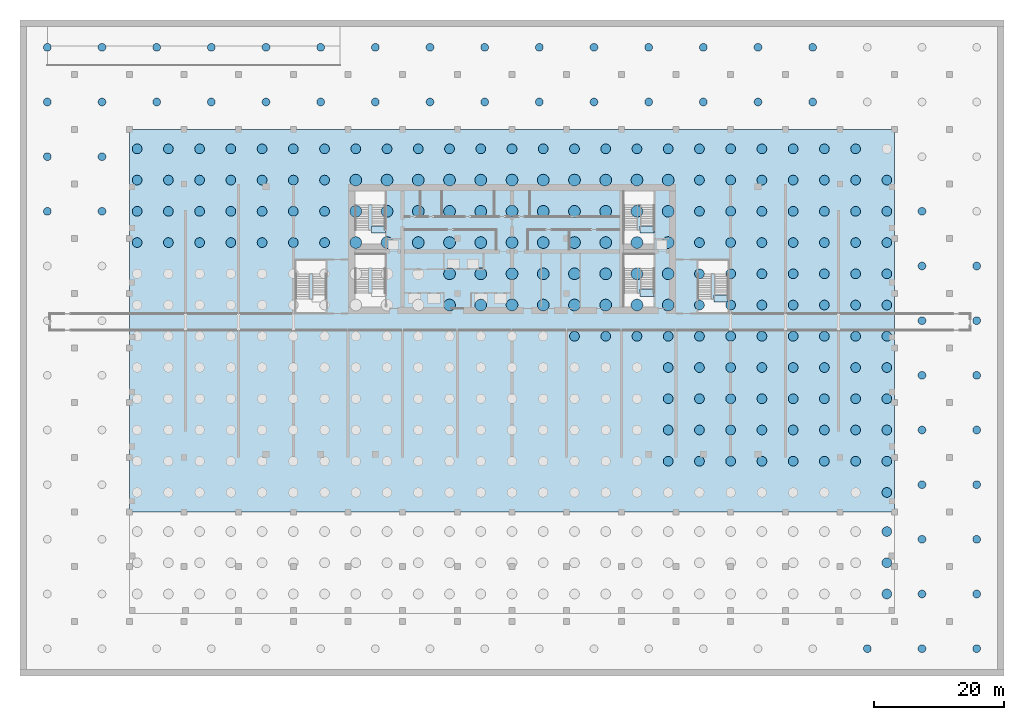
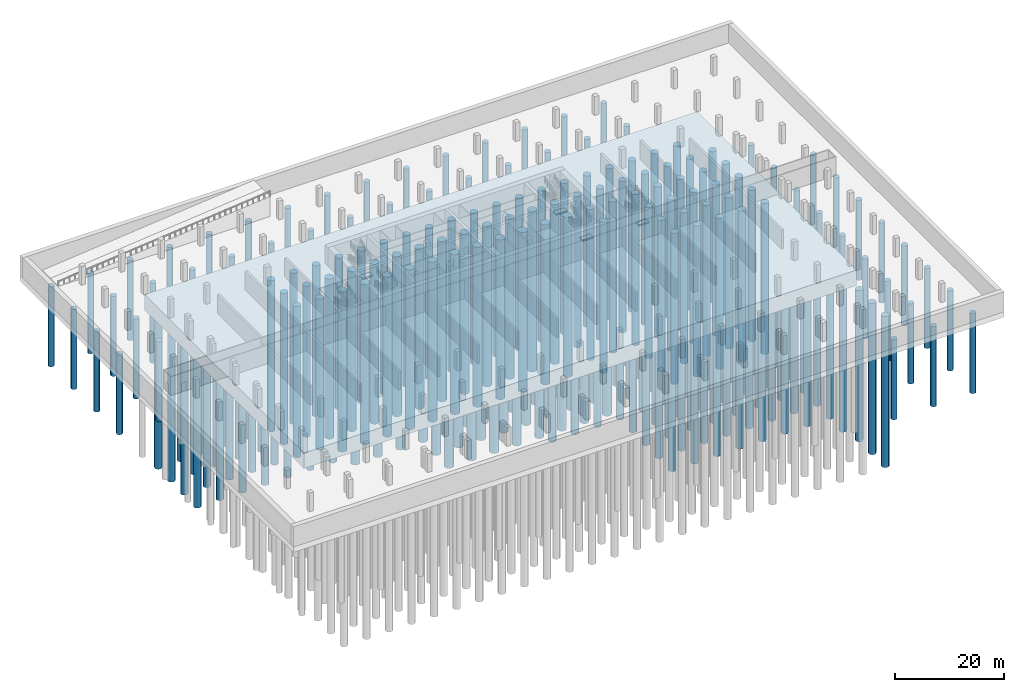
# One storey, part 2 of 17: 228 piles, 5 footings.
"""IFC4 building model written with IfcOpenShell, lengths in metres."""

from ifc_helpers import new_model, si_unit, direction, frame, origin, origin_2d, place, context, subcontext, project, spatial, polyline, circle, outline, extrude, source, transform, mapped, material, layer, layer_set, type_object, element, save


model = new_model("IFC4")

# Units and contexts
model_context = context("Model", 3, precision=1e-05, world=origin(), true_north=direction((0.0, 1.0)))
body_context = subcontext(model_context, "Body", "Model", "MODEL_VIEW")
ifc_project = project(units=[si_unit("LENGTHUNIT", "METRE"), si_unit("AREAUNIT", "SQUARE_METRE"), si_unit("VOLUMEUNIT", "CUBIC_METRE"), si_unit("PLANEANGLEUNIT", "RADIAN"), si_unit("MASSUNIT", "GRAM", prefix="KILO")], contexts=[model_context])

# Site, building, storey
site_placement = place(None, origin())
site = spatial("IfcSite", under=ifc_project, at=site_placement, CompositionType="ELEMENT")
building_placement = place(site_placement, origin())
building = spatial("IfcBuilding", under=site, at=building_placement, Name="Vanashikhar Sky Hotel", CompositionType="ELEMENT")
storey_placement = place(building_placement, frame((0.0, 0.0, -13.5)))
storey = spatial("IfcBuildingStorey", under=building, at=storey_placement, Name="B3", CompositionType="ELEMENT", Elevation=-13.5)

# Footing
ifc_material = material(Name="Concrete M40", Category="concrete")
ifc_layer_1 = layer(ifc_material, 3.5)
ifc_layer_set_1 = layer_set([ifc_layer_1], Name="Piled raft 3500 mm")
footing_type_1 = type_object("IfcFootingType", Name="Piled raft 3500 mm", PredefinedType="PILE_CAP", material=ifc_layer_set_1)
shared_shape_1 = source(origin(), body_context, "Body", "SweptSolid", [
    extrude(outline(polyline([(109.199951171875, -8.39990234375), (109.199951171875, 50.39990234375), (-8.39990234375, 50.39990234375), (-8.39990234375, -8.39990234375), (109.199951171875, -8.39990234375)])), origin(), (0.0, 0.0, 1.0), 3.5),
])
footing_1_placement = place(storey_placement, frame((0.0, 0.0, -3.800048828125)))
element("IfcFooting", 1, at=footing_1_placement, inside=storey, type_object=footing_type_1, Name="Tower piled raft", PredefinedType="PILE_CAP", context=body_context, shape_type="MappedRepresentation", body=[
    mapped(shared_shape_1, transform((0.0, 0.0, 0.0), scale=1.0)),
])

# Piles
pile_type_1 = type_object("IfcPileType", Name="Bored pile 1500 mm", PredefinedType="BORED", material=ifc_material)
shared_shape_2 = source(origin(), body_context, "Body", "SweptSolid", [
    extrude(circle(Radius=0.75, at=origin_2d()), origin(), (0.0, 0.0, 1.0), 34.0),
])
for number, where, z_axis, x_axis, name in (
    (2, (108.0, -5.39990234375, -3.699951171875), (0.0, 0.0, -1.0), (1.0, 0.0, 0.0), "PL-B3-0025"),
    (3, (74.39990234375, -0.60009765625, -3.699951171875), (0.0, 0.0, -1.0), (1.0, 0.0, 0.0), "PL-B3-0043"),
    (4, (79.199951171875, -0.60009765625, -3.699951171875), (0.0, 0.0, -1.0), (1.0, 0.0, 0.0), "PL-B3-0044"),
    (5, (84.0, -0.60009765625, -3.699951171875), (0.0, 0.0, -1.0), (1.0, 0.0, 0.0), "PL-B3-0045"),
    (6, (88.800048828125, -0.60009765625, -3.699951171875), (0.0, 0.0, -1.0), (1.0, 0.0, 0.0), "PL-B3-0046"),
    (7, (93.60009765625, -0.60009765625, -3.699951171875), (0.0, 0.0, -1.0), (1.0, 0.0, 0.0), "PL-B3-0047"),
    (8, (98.39990234375, -0.60009765625, -3.699951171875), (0.0, 0.0, -1.0), (1.0, 0.0, 0.0), "PL-B3-0048"),
    (9, (103.199951171875, -0.60009765625, -3.699951171875), (0.0, 0.0, -1.0), (1.0, 0.0, 0.0), "PL-B3-0049"),
    (10, (108.0, -0.60009765625, -3.699951171875), (0.0, 0.0, -1.0), (1.0, 0.0, 0.0), "PL-B3-0050"),
    (11, (74.39990234375, 4.199951171875, -3.699951171875), (0.0, 0.0, -1.0), (1.0, 0.0, 0.0), "PL-B3-0068"),
    (12, (79.199951171875, 4.199951171875, -3.699951171875), (0.0, 0.0, -1.0), (1.0, 0.0, 0.0), "PL-B3-0069"),
    (13, (84.0, 4.199951171875, -3.699951171875), (0.0, 0.0, -1.0), (1.0, 0.0, 0.0), "PL-B3-0070"),
    (14, (88.800048828125, 4.199951171875, -3.699951171875), (0.0, 0.0, -1.0), (1.0, 0.0, 0.0), "PL-B3-0071"),
    (15, (93.60009765625, 4.199951171875, -3.699951171875), (0.0, 0.0, -1.0), (1.0, 0.0, 0.0), "PL-B3-0072"),
    (16, (98.39990234375, 4.199951171875, -3.699951171875), (0.0, 0.0, -1.0), (1.0, 0.0, 0.0), "PL-B3-0073"),
    (17, (103.199951171875, 4.199951171875, -3.699951171875), (0.0, 0.0, -1.0), (1.0, 0.0, 0.0), "PL-B3-0074"),
    (18, (108.0, 4.199951171875, -3.699951171875), (0.0, 0.0, -1.0), (1.0, 0.0, 0.0), "PL-B3-0075"),
    (19, (74.39990234375, 9.0, -3.699951171875), (0.0, 0.0, -1.0), (1.0, 0.0, 0.0), "PL-B3-0093"),
    (20, (79.199951171875, 9.0, -3.699951171875), (0.0, 0.0, -1.0), (1.0, 0.0, 0.0), "PL-B3-0094"),
    (21, (84.0, 9.0, -3.699951171875), (0.0, 0.0, -1.0), (1.0, 0.0, 0.0), "PL-B3-0095"),
    (22, (88.800048828125, 9.0, -3.699951171875), (0.0, 0.0, -1.0), (1.0, 0.0, 0.0), "PL-B3-0096"),
    (23, (93.60009765625, 9.0, -3.699951171875), (0.0, 0.0, -1.0), (1.0, 0.0, 0.0), "PL-B3-0097"),
    (24, (98.39990234375, 9.0, -3.699951171875), (0.0, 0.0, -1.0), (1.0, 0.0, 0.0), "PL-B3-0098"),
    (25, (103.199951171875, 9.0, -3.699951171875), (0.0, 0.0, -1.0), (1.0, 0.0, 0.0), "PL-B3-0099"),
    (26, (108.0, 9.0, -3.699951171875), (0.0, 0.0, -1.0), (1.0, 0.0, 0.0), "PL-B3-0100"),
    (27, (74.39990234375, 13.800048828125, -3.699951171875), (0.0, 0.0, -1.0), (1.0, 0.0, 0.0), "PL-B3-0118"),
    (28, (79.199951171875, 13.800048828125, -3.699951171875), (0.0, 0.0, -1.0), (1.0, 0.0, 0.0), "PL-B3-0119"),
    (29, (84.0, 13.800048828125, -3.699951171875), (0.0, 0.0, -1.0), (1.0, 0.0, 0.0), "PL-B3-0120"),
    (30, (88.800048828125, 13.800048828125, -3.699951171875), (0.0, 0.0, -1.0), (1.0, 0.0, 0.0), "PL-B3-0121"),
    (31, (93.60009765625, 13.800048828125, -3.699951171875), (0.0, 0.0, -1.0), (1.0, 0.0, 0.0), "PL-B3-0122"),
    (32, (98.39990234375, 13.800048828125, -3.699951171875), (0.0, 0.0, -1.0), (1.0, 0.0, 0.0), "PL-B3-0123"),
    (33, (103.199951171875, 13.800048828125, -3.699951171875), (0.0, 0.0, -1.0), (1.0, 0.0, 0.0), "PL-B3-0124"),
    (34, (108.0, 13.800048828125, -3.699951171875), (0.0, 0.0, -1.0), (1.0, 0.0, 0.0), "PL-B3-0125"),
    (35, (60.0, 18.60009765625, -3.699951171875), (0.0, 0.0, -1.0), (1.0, 0.0, 0.0), "PL-B3-0140"),
    (36, (64.800048828125, 18.60009765625, -3.699951171875), (0.0, 0.0, -1.0), (1.0, 0.0, 0.0), "PL-B3-0141"),
    (37, (69.60009765625, 18.60009765625, -3.699951171875), (0.0, 0.0, -1.0), (1.0, 0.0, 0.0), "PL-B3-0142"),
    (38, (74.39990234375, 18.60009765625, -3.699951171875), (0.0, 0.0, -1.0), (1.0, 0.0, 0.0), "PL-B3-0143"),
    (39, (79.199951171875, 18.60009765625, -3.699951171875), (0.0, 0.0, -1.0), (1.0, 0.0, 0.0), "PL-B3-0144"),
    (40, (84.0, 18.60009765625, -3.699951171875), (0.0, 0.0, -1.0), (1.0, 0.0, 0.0), "PL-B3-0145"),
    (41, (88.800048828125, 18.60009765625, -3.699951171875), (0.0, 0.0, -1.0), (1.0, 0.0, 0.0), "PL-B3-0146"),
    (42, (93.60009765625, 18.60009765625, -3.699951171875), (0.0, 0.0, -1.0), (1.0, 0.0, 0.0), "PL-B3-0147"),
    (43, (98.39990234375, 18.60009765625, -3.699951171875), (0.0, 0.0, -1.0), (1.0, 0.0, 0.0), "PL-B3-0148"),
    (44, (103.199951171875, 18.60009765625, -3.699951171875), (0.0, 0.0, -1.0), (1.0, 0.0, 0.0), "PL-B3-0149"),
    (45, (108.0, 18.60009765625, -3.699951171875), (0.0, 0.0, -1.0), (1.0, 0.0, 0.0), "PL-B3-0150"),
    (46, (79.199951171875, 23.39990234375, -3.699951171875), (0.0, 0.0, -1.0), (1.0, 0.0, 0.0), "PL-B3-0169"),
    (47, (84.0, 23.39990234375, -3.699951171875), (0.0, 0.0, -1.0), (1.0, 0.0, 0.0), "PL-B3-0170"),
    (48, (88.800048828125, 23.39990234375, -3.699951171875), (0.0, 0.0, -1.0), (1.0, 0.0, 0.0), "PL-B3-0171"),
    (49, (93.60009765625, 23.39990234375, -3.699951171875), (0.0, 0.0, -1.0), (1.0, 0.0, 0.0), "PL-B3-0172"),
    (50, (98.39990234375, 23.39990234375, -3.699951171875), (0.0, 0.0, -1.0), (1.0, 0.0, 0.0), "PL-B3-0173"),
    (51, (103.199951171875, 23.39990234375, -3.699951171875), (0.0, 0.0, -1.0), (1.0, 0.0, 0.0), "PL-B3-0174"),
    (52, (108.0, 23.39990234375, -3.699951171875), (0.0, 0.0, -1.0), (1.0, 0.0, 0.0), "PL-B3-0175"),
    (53, (79.199951171875, 28.199951171875, -3.699951171875), (0.0, 0.0, -1.0), (1.0, 0.0, 0.0), "PL-B3-0194"),
    (54, (84.0, 28.199951171875, -3.699951171875), (0.0, 0.0, -1.0), (1.0, 0.0, 0.0), "PL-B3-0195"),
    (55, (88.800048828125, 28.199951171875, -3.699951171875), (0.0, 0.0, -1.0), (1.0, 0.0, 0.0), "PL-B3-0196"),
    (56, (93.60009765625, 28.199951171875, -3.699951171875), (0.0, 0.0, -1.0), (1.0, 0.0, 0.0), "PL-B3-0197"),
    (57, (98.39990234375, 28.199951171875, -3.699951171875), (0.0, 0.0, -1.0), (1.0, 0.0, 0.0), "PL-B3-0198"),
    (58, (103.199951171875, 28.199951171875, -3.699951171875), (0.0, 0.0, -1.0), (1.0, 0.0, 0.0), "PL-B3-0199"),
    (59, (108.0, 28.199951171875, -3.699951171875), (0.0, 0.0, -1.0), (1.0, 0.0, 0.0), "PL-B3-0200"),
    (60, (-7.199951171875, 33.0, -3.699951171875), (0.0, 0.0, -1.0), (1.0, 0.0, 0.0), "PL-B3-0201"),
    (61, (-2.39990234375, 33.0, -3.699951171875), (0.0, 0.0, -1.0), (1.0, 0.0, 0.0), "PL-B3-0202"),
    (62, (2.39990234375, 33.0, -3.699951171875), (0.0, 0.0, -1.0), (1.0, 0.0, 0.0), "PL-B3-0203"),
    (63, (7.199951171875, 33.0, -3.699951171875), (0.0, 0.0, -1.0), (1.0, 0.0, 0.0), "PL-B3-0204"),
    (64, (12.0, 33.0, -3.699951171875), (0.0, 0.0, -1.0), (1.0, 0.0, 0.0), "PL-B3-0205"),
    (65, (16.800048828125, 33.0, -3.699951171875), (0.0, 0.0, -1.0), (1.0, 0.0, 0.0), "PL-B3-0206"),
    (66, (21.60009765625, 33.0, -3.699951171875), (0.0, 0.0, -1.0), (1.0, 0.0, 0.0), "PL-B3-0207"),
    (67, (79.199951171875, 33.0, -3.699951171875), (0.0, 0.0, -1.0), (1.0, 0.0, 0.0), "PL-B3-0219"),
    (68, (84.0, 33.0, -3.699951171875), (0.0, 0.0, -1.0), (1.0, 0.0, 0.0), "PL-B3-0220"),
    (69, (88.800048828125, 33.0, -3.699951171875), (0.0, 0.0, -1.0), (1.0, 0.0, 0.0), "PL-B3-0221"),
    (70, (93.60009765625, 33.0, -3.699951171875), (0.0, 0.0, -1.0), (1.0, 0.0, 0.0), "PL-B3-0222"),
    (71, (98.39990234375, 33.0, -3.699951171875), (0.0, 0.0, -1.0), (1.0, 0.0, 0.0), "PL-B3-0223"),
    (72, (103.199951171875, 33.0, -3.699951171875), (0.0, 0.0, -1.0), (1.0, 0.0, 0.0), "PL-B3-0224"),
    (73, (108.0, 33.0, -3.699951171875), (0.0, 0.0, -1.0), (1.0, 0.0, 0.0), "PL-B3-0225"),
    (74, (-7.199951171875, 37.800048828125, -3.699951171875), (0.0, 0.0, -1.0), (1.0, 0.0, 0.0), "PL-B3-0226"),
    (75, (-2.39990234375, 37.800048828125, -3.699951171875), (0.0, 0.0, -1.0), (1.0, 0.0, 0.0), "PL-B3-0227"),
    (76, (2.39990234375, 37.800048828125, -3.699951171875), (0.0, 0.0, -1.0), (1.0, 0.0, 0.0), "PL-B3-0228"),
    (77, (7.199951171875, 37.800048828125, -3.699951171875), (0.0, 0.0, -1.0), (1.0, 0.0, 0.0), "PL-B3-0229"),
    (78, (12.0, 37.800048828125, -3.699951171875), (0.0, 0.0, -1.0), (1.0, 0.0, 0.0), "PL-B3-0230"),
    (79, (16.800048828125, 37.800048828125, -3.699951171875), (0.0, 0.0, -1.0), (1.0, 0.0, 0.0), "PL-B3-0231"),
    (80, (21.60009765625, 37.800048828125, -3.699951171875), (0.0, 0.0, -1.0), (1.0, 0.0, 0.0), "PL-B3-0232"),
    (81, (79.199951171875, 37.800048828125, -3.699951171875), (0.0, 0.0, -1.0), (1.0, 0.0, 0.0), "PL-B3-0244"),
    (82, (84.0, 37.800048828125, -3.699951171875), (0.0, 0.0, -1.0), (1.0, 0.0, 0.0), "PL-B3-0245"),
    (83, (88.800048828125, 37.800048828125, -3.699951171875), (0.0, 0.0, -1.0), (1.0, 0.0, 0.0), "PL-B3-0246"),
    (84, (93.60009765625, 37.800048828125, -3.699951171875), (0.0, 0.0, -1.0), (1.0, 0.0, 0.0), "PL-B3-0247"),
    (85, (98.39990234375, 37.800048828125, -3.699951171875), (0.0, 0.0, -1.0), (1.0, 0.0, 0.0), "PL-B3-0248"),
    (86, (103.199951171875, 37.800048828125, -3.699951171875), (0.0, 0.0, -1.0), (1.0, 0.0, 0.0), "PL-B3-0249"),
    (87, (108.0, 37.800048828125, -3.699951171875), (0.0, 0.0, -1.0), (1.0, 0.0, 0.0), "PL-B3-0250"),
    (88, (-7.199951171875, 42.60009765625, -3.699951171875), (0.0, 0.0, -1.0), (1.0, 0.0, 0.0), "PL-B3-0251"),
    (89, (-2.39990234375, 42.60009765625, -3.699951171875), (0.0, 0.0, -1.0), (1.0, 0.0, 0.0), "PL-B3-0252"),
    (90, (2.39990234375, 42.60009765625, -3.699951171875), (0.0, 0.0, -1.0), (1.0, 0.0, 0.0), "PL-B3-0253"),
    (91, (7.199951171875, 42.60009765625, -3.699951171875), (0.0, 0.0, -1.0), (1.0, 0.0, 0.0), "PL-B3-0254"),
    (92, (12.0, 42.60009765625, -3.699951171875), (0.0, 0.0, -1.0), (1.0, 0.0, 0.0), "PL-B3-0255"),
    (93, (16.800048828125, 42.60009765625, -3.699951171875), (0.0, 0.0, -1.0), (1.0, 0.0, 0.0), "PL-B3-0256"),
    (94, (21.60009765625, 42.60009765625, -3.699951171875), (0.0, 0.0, -1.0), (1.0, 0.0, 0.0), "PL-B3-0257"),
    (95, (79.199951171875, 42.60009765625, -3.699951171875), (0.0, 0.0, -1.0), (1.0, 0.0, 0.0), "PL-B3-0269"),
    (96, (84.0, 42.60009765625, -3.699951171875), (0.0, 0.0, -1.0), (1.0, 0.0, 0.0), "PL-B3-0270"),
    (97, (88.800048828125, 42.60009765625, -3.699951171875), (0.0, 0.0, -1.0), (1.0, 0.0, 0.0), "PL-B3-0271"),
    (98, (93.60009765625, 42.60009765625, -3.699951171875), (0.0, 0.0, -1.0), (1.0, 0.0, 0.0), "PL-B3-0272"),
    (99, (98.39990234375, 42.60009765625, -3.699951171875), (0.0, 0.0, -1.0), (1.0, 0.0, 0.0), "PL-B3-0273"),
    (100, (103.199951171875, 42.60009765625, -3.699951171875), (0.0, 0.0, -1.0), (1.0, 0.0, 0.0), "PL-B3-0274"),
    (101, (108.0, 42.60009765625, -3.699951171875), (0.0, 0.0, -1.0), (1.0, 0.0, 0.0), "PL-B3-0275"),
    (102, (-7.199951171875, 47.39990234375, -3.699951171875), (0.0, 0.0, -1.0), (1.0, 0.0, 0.0), "PL-B3-0276"),
    (103, (-2.39990234375, 47.39990234375, -3.699951171875), (0.0, 0.0, -1.0), (1.0, 0.0, 0.0), "PL-B3-0277"),
    (104, (2.39990234375, 47.39990234375, -3.699951171875), (0.0, 0.0, -1.0), (1.0, 0.0, 0.0), "PL-B3-0278"),
    (105, (7.199951171875, 47.39990234375, -3.699951171875), (0.0, 0.0, -1.0), (1.0, 0.0, 0.0), "PL-B3-0279"),
    (106, (12.0, 47.39990234375, -3.699951171875), (0.0, 0.0, -1.0), (1.0, 0.0, 0.0), "PL-B3-0280"),
    (107, (16.800048828125, 47.39990234375, -3.699951171875), (0.0, 0.0, -1.0), (1.0, 0.0, 0.0), "PL-B3-0281"),
    (108, (21.60009765625, 47.39990234375, -3.699951171875), (0.0, 0.0, -1.0), (1.0, 0.0, 0.0), "PL-B3-0282"),
    (109, (26.39990234375, 47.39990234375, -3.699951171875), (0.0, 0.0, -1.0), (1.0, 0.0, 0.0), "PL-B3-0283"),
    (110, (31.199951171875, 47.39990234375, -3.699951171875), (0.0, 0.0, -1.0), (1.0, 0.0, 0.0), "PL-B3-0284"),
    (111, (36.0, 47.39990234375, -3.699951171875), (0.0, 0.0, -1.0), (1.0, 0.0, 0.0), "PL-B3-0285"),
    (112, (40.800048828125, 47.39990234375, -3.699951171875), (0.0, 0.0, -1.0), (1.0, 0.0, 0.0), "PL-B3-0286"),
    (113, (45.60009765625, 47.39990234375, -3.699951171875), (0.0, 0.0, -1.0), (1.0, 0.0, 0.0), "PL-B3-0287"),
    (114, (50.39990234375, 47.39990234375, -3.699951171875), (0.0, 0.0, -1.0), (1.0, 0.0, 0.0), "PL-B3-0288"),
    (115, (55.199951171875, 47.39990234375, -3.699951171875), (0.0, 0.0, -1.0), (1.0, 0.0, 0.0), "PL-B3-0289"),
    (116, (60.0, 47.39990234375, -3.699951171875), (0.0, 0.0, -1.0), (1.0, 0.0, 0.0), "PL-B3-0290"),
    (117, (64.800048828125, 47.39990234375, -3.699951171875), (0.0, 0.0, -1.0), (1.0, 0.0, 0.0), "PL-B3-0291"),
    (118, (69.60009765625, 47.39990234375, -3.699951171875), (0.0, 0.0, -1.0), (1.0, 0.0, 0.0), "PL-B3-0292"),
    (119, (74.39990234375, 47.39990234375, -3.699951171875), (0.0, 0.0, -1.0), (1.0, 0.0, 0.0), "PL-B3-0293"),
    (120, (79.199951171875, 47.39990234375, -3.699951171875), (0.0, 0.0, -1.0), (1.0, 0.0, 0.0), "PL-B3-0294"),
    (121, (84.0, 47.39990234375, -3.699951171875), (0.0, 0.0, -1.0), (1.0, 0.0, 0.0), "PL-B3-0295"),
    (122, (88.800048828125, 47.39990234375, -3.699951171875), (0.0, 0.0, -1.0), (1.0, 0.0, 0.0), "PL-B3-0296"),
    (123, (93.60009765625, 47.39990234375, -3.699951171875), (0.0, 0.0, -1.0), (1.0, 0.0, 0.0), "PL-B3-0297"),
    (124, (98.39990234375, 47.39990234375, -3.699951171875), (0.0, 0.0, -1.0), (1.0, 0.0, 0.0), "PL-B3-0298"),
    (125, (103.199951171875, 47.39990234375, -3.699951171875), (0.0, 0.0, -1.0), (1.0, 0.0, 0.0), "PL-B3-0299"),
    (126, (108.0, -21.0, -2.199951171875), (0.0, 0.0, -1.0), (1.0, 0.0, 0.0), "PL-B3-0325"),
    (127, (108.0, -16.199951171875, -2.199951171875), (0.0, 0.0, -1.0), (1.0, 0.0, 0.0), "PL-B3-0350"),
    (128, (108.0, -11.39990234375, -2.199951171875), (0.0, 0.0, -1.0), (1.0, 0.0, 0.0), "PL-B3-0375"),
):
    element("IfcPile", number, at=place(storey_placement, frame(where, z_axis=z_axis, x_axis=x_axis)), inside=storey, type_object=pile_type_1, Name=name, PredefinedType="BORED", context=body_context, shape_type="MappedRepresentation", body=[
        mapped(shared_shape_2, transform((0.0, 0.0, 0.0), scale=1.0)),
    ])
pile_type_2 = type_object("IfcPileType", Name="Bored pile 1800 mm", PredefinedType="BORED", material=ifc_material)
shared_shape_3 = source(origin(), body_context, "Body", "SweptSolid", [
    extrude(circle(Radius=0.89990234375, at=origin_2d()), origin(), (0.0, 0.0, 1.0), 36.0),
])
for number, where, z_axis, x_axis, name in (
    (129, (40.800048828125, 23.39990234375, -3.699951171875), (0.0, 0.0, -1.0), (1.0, 0.0, 0.0), "PL-B3-0161"),
    (130, (45.60009765625, 23.39990234375, -3.699951171875), (0.0, 0.0, -1.0), (1.0, 0.0, 0.0), "PL-B3-0162"),
    (131, (50.39990234375, 23.39990234375, -3.699951171875), (0.0, 0.0, -1.0), (1.0, 0.0, 0.0), "PL-B3-0163"),
    (132, (55.199951171875, 23.39990234375, -3.699951171875), (0.0, 0.0, -1.0), (1.0, 0.0, 0.0), "PL-B3-0164"),
    (133, (60.0, 23.39990234375, -3.699951171875), (0.0, 0.0, -1.0), (1.0, 0.0, 0.0), "PL-B3-0165"),
    (134, (64.800048828125, 23.39990234375, -3.699951171875), (0.0, 0.0, -1.0), (1.0, 0.0, 0.0), "PL-B3-0166"),
    (135, (69.60009765625, 23.39990234375, -3.699951171875), (0.0, 0.0, -1.0), (1.0, 0.0, 0.0), "PL-B3-0167"),
    (136, (74.39990234375, 23.39990234375, -3.699951171875), (0.0, 0.0, -1.0), (1.0, 0.0, 0.0), "PL-B3-0168"),
    (137, (40.800048828125, 28.199951171875, -3.699951171875), (0.0, 0.0, -1.0), (1.0, 0.0, 0.0), "PL-B3-0186"),
    (138, (45.60009765625, 28.199951171875, -3.699951171875), (0.0, 0.0, -1.0), (1.0, 0.0, 0.0), "PL-B3-0187"),
    (139, (50.39990234375, 28.199951171875, -3.699951171875), (0.0, 0.0, -1.0), (1.0, 0.0, 0.0), "PL-B3-0188"),
    (140, (55.199951171875, 28.199951171875, -3.699951171875), (0.0, 0.0, -1.0), (1.0, 0.0, 0.0), "PL-B3-0189"),
    (141, (60.0, 28.199951171875, -3.699951171875), (0.0, 0.0, -1.0), (1.0, 0.0, 0.0), "PL-B3-0190"),
    (142, (64.800048828125, 28.199951171875, -3.699951171875), (0.0, 0.0, -1.0), (1.0, 0.0, 0.0), "PL-B3-0191"),
    (143, (69.60009765625, 28.199951171875, -3.699951171875), (0.0, 0.0, -1.0), (1.0, 0.0, 0.0), "PL-B3-0192"),
    (144, (74.39990234375, 28.199951171875, -3.699951171875), (0.0, 0.0, -1.0), (1.0, 0.0, 0.0), "PL-B3-0193"),
    (145, (26.39990234375, 33.0, -3.699951171875), (0.0, 0.0, -1.0), (1.0, 0.0, 0.0), "PL-B3-0208"),
    (146, (31.199951171875, 33.0, -3.699951171875), (0.0, 0.0, -1.0), (1.0, 0.0, 0.0), "PL-B3-0209"),
    (147, (36.0, 33.0, -3.699951171875), (0.0, 0.0, -1.0), (1.0, 0.0, 0.0), "PL-B3-0210"),
    (148, (40.800048828125, 33.0, -3.699951171875), (0.0, 0.0, -1.0), (1.0, 0.0, 0.0), "PL-B3-0211"),
    (149, (45.60009765625, 33.0, -3.699951171875), (0.0, 0.0, -1.0), (1.0, 0.0, 0.0), "PL-B3-0212"),
    (150, (50.39990234375, 33.0, -3.699951171875), (0.0, 0.0, -1.0), (1.0, 0.0, 0.0), "PL-B3-0213"),
    (151, (55.199951171875, 33.0, -3.699951171875), (0.0, 0.0, -1.0), (1.0, 0.0, 0.0), "PL-B3-0214"),
    (152, (60.0, 33.0, -3.699951171875), (0.0, 0.0, -1.0), (1.0, 0.0, 0.0), "PL-B3-0215"),
    (153, (64.800048828125, 33.0, -3.699951171875), (0.0, 0.0, -1.0), (1.0, 0.0, 0.0), "PL-B3-0216"),
    (154, (69.60009765625, 33.0, -3.699951171875), (0.0, 0.0, -1.0), (1.0, 0.0, 0.0), "PL-B3-0217"),
    (155, (74.39990234375, 33.0, -3.699951171875), (0.0, 0.0, -1.0), (1.0, 0.0, 0.0), "PL-B3-0218"),
    (156, (26.39990234375, 37.800048828125, -3.699951171875), (0.0, 0.0, -1.0), (1.0, 0.0, 0.0), "PL-B3-0233"),
    (157, (31.199951171875, 37.800048828125, -3.699951171875), (0.0, 0.0, -1.0), (1.0, 0.0, 0.0), "PL-B3-0234"),
    (158, (36.0, 37.800048828125, -3.699951171875), (0.0, 0.0, -1.0), (1.0, 0.0, 0.0), "PL-B3-0235"),
    (159, (40.800048828125, 37.800048828125, -3.699951171875), (0.0, 0.0, -1.0), (1.0, 0.0, 0.0), "PL-B3-0236"),
    (160, (45.60009765625, 37.800048828125, -3.699951171875), (0.0, 0.0, -1.0), (1.0, 0.0, 0.0), "PL-B3-0237"),
    (161, (50.39990234375, 37.800048828125, -3.699951171875), (0.0, 0.0, -1.0), (1.0, 0.0, 0.0), "PL-B3-0238"),
    (162, (55.199951171875, 37.800048828125, -3.699951171875), (0.0, 0.0, -1.0), (1.0, 0.0, 0.0), "PL-B3-0239"),
    (163, (60.0, 37.800048828125, -3.699951171875), (0.0, 0.0, -1.0), (1.0, 0.0, 0.0), "PL-B3-0240"),
    (164, (64.800048828125, 37.800048828125, -3.699951171875), (0.0, 0.0, -1.0), (1.0, 0.0, 0.0), "PL-B3-0241"),
    (165, (69.60009765625, 37.800048828125, -3.699951171875), (0.0, 0.0, -1.0), (1.0, 0.0, 0.0), "PL-B3-0242"),
    (166, (74.39990234375, 37.800048828125, -3.699951171875), (0.0, 0.0, -1.0), (1.0, 0.0, 0.0), "PL-B3-0243"),
    (167, (26.39990234375, 42.60009765625, -3.699951171875), (0.0, 0.0, -1.0), (1.0, 0.0, 0.0), "PL-B3-0258"),
    (168, (31.199951171875, 42.60009765625, -3.699951171875), (0.0, 0.0, -1.0), (1.0, 0.0, 0.0), "PL-B3-0259"),
    (169, (36.0, 42.60009765625, -3.699951171875), (0.0, 0.0, -1.0), (1.0, 0.0, 0.0), "PL-B3-0260"),
    (170, (40.800048828125, 42.60009765625, -3.699951171875), (0.0, 0.0, -1.0), (1.0, 0.0, 0.0), "PL-B3-0261"),
    (171, (45.60009765625, 42.60009765625, -3.699951171875), (0.0, 0.0, -1.0), (1.0, 0.0, 0.0), "PL-B3-0262"),
    (172, (50.39990234375, 42.60009765625, -3.699951171875), (0.0, 0.0, -1.0), (1.0, 0.0, 0.0), "PL-B3-0263"),
    (173, (55.199951171875, 42.60009765625, -3.699951171875), (0.0, 0.0, -1.0), (1.0, 0.0, 0.0), "PL-B3-0264"),
    (174, (60.0, 42.60009765625, -3.699951171875), (0.0, 0.0, -1.0), (1.0, 0.0, 0.0), "PL-B3-0265"),
    (175, (64.800048828125, 42.60009765625, -3.699951171875), (0.0, 0.0, -1.0), (1.0, 0.0, 0.0), "PL-B3-0266"),
    (176, (69.60009765625, 42.60009765625, -3.699951171875), (0.0, 0.0, -1.0), (1.0, 0.0, 0.0), "PL-B3-0267"),
    (177, (74.39990234375, 42.60009765625, -3.699951171875), (0.0, 0.0, -1.0), (1.0, 0.0, 0.0), "PL-B3-0268"),
):
    element("IfcPile", number, at=place(storey_placement, frame(where, z_axis=z_axis, x_axis=x_axis)), inside=storey, type_object=pile_type_2, Name=name, PredefinedType="BORED", context=body_context, shape_type="MappedRepresentation", body=[
        mapped(shared_shape_3, transform((0.0, 0.0, 0.0), scale=1.0)),
    ])
pile_type_3 = type_object("IfcPileType", Name="Bored pile 1200 mm", PredefinedType="BORED", material=ifc_material)
shared_shape_4 = source(origin(), body_context, "Body", "SweptSolid", [
    extrude(circle(Radius=0.60009765625, at=origin_2d()), origin(), (0.0, 0.0, 1.0), 18.0),
])
for number, where, z_axis, x_axis, name in (
    (178, (-21.0, 37.800048828125, -1.39990234375), (0.0, 0.0, -1.0), (1.0, 0.0, 0.0), "PL-B3-T009"),
    (179, (-21.0, 46.199951171875, -1.39990234375), (0.0, 0.0, -1.0), (1.0, 0.0, 0.0), "PL-B3-T010"),
    (180, (-21.0, 54.60009765625, -1.39990234375), (0.0, 0.0, -1.0), (1.0, 0.0, 0.0), "PL-B3-T011"),
    (181, (-21.0, 63.0, -1.39990234375), (0.0, 0.0, -1.0), (1.0, 0.0, 0.0), "PL-B3-T012"),
    (182, (-12.60009765625, 37.800048828125, -1.39990234375), (0.0, 0.0, -1.0), (1.0, 0.0, 0.0), "PL-B3-T021"),
    (183, (-12.60009765625, 46.199951171875, -1.39990234375), (0.0, 0.0, -1.0), (1.0, 0.0, 0.0), "PL-B3-T022"),
    (184, (-12.60009765625, 54.60009765625, -1.39990234375), (0.0, 0.0, -1.0), (1.0, 0.0, 0.0), "PL-B3-T023"),
    (185, (-12.60009765625, 63.0, -1.39990234375), (0.0, 0.0, -1.0), (1.0, 0.0, 0.0), "PL-B3-T024"),
    (186, (-4.199951171875, 54.60009765625, -1.39990234375), (0.0, 0.0, -1.0), (1.0, 0.0, 0.0), "PL-B3-T026"),
    (187, (-4.199951171875, 63.0, -1.39990234375), (0.0, 0.0, -1.0), (1.0, 0.0, 0.0), "PL-B3-T027"),
    (188, (4.199951171875, 54.60009765625, -1.39990234375), (0.0, 0.0, -1.0), (1.0, 0.0, 0.0), "PL-B3-T029"),
    (189, (4.199951171875, 63.0, -1.39990234375), (0.0, 0.0, -1.0), (1.0, 0.0, 0.0), "PL-B3-T030"),
    (190, (12.60009765625, 54.60009765625, -1.39990234375), (0.0, 0.0, -1.0), (1.0, 0.0, 0.0), "PL-B3-T032"),
    (191, (12.60009765625, 63.0, -1.39990234375), (0.0, 0.0, -1.0), (1.0, 0.0, 0.0), "PL-B3-T033"),
    (192, (21.0, 54.60009765625, -1.39990234375), (0.0, 0.0, -1.0), (1.0, 0.0, 0.0), "PL-B3-T035"),
    (193, (21.0, 63.0, -1.39990234375), (0.0, 0.0, -1.0), (1.0, 0.0, 0.0), "PL-B3-T036"),
    (194, (29.39990234375, 54.60009765625, -1.39990234375), (0.0, 0.0, -1.0), (1.0, 0.0, 0.0), "PL-B3-T038"),
    (195, (29.39990234375, 63.0, -1.39990234375), (0.0, 0.0, -1.0), (1.0, 0.0, 0.0), "PL-B3-T039"),
    (196, (37.800048828125, 54.60009765625, -1.39990234375), (0.0, 0.0, -1.0), (1.0, 0.0, 0.0), "PL-B3-T041"),
    (197, (37.800048828125, 63.0, -1.39990234375), (0.0, 0.0, -1.0), (1.0, 0.0, 0.0), "PL-B3-T042"),
    (198, (46.199951171875, 54.60009765625, -1.39990234375), (0.0, 0.0, -1.0), (1.0, 0.0, 0.0), "PL-B3-T044"),
    (199, (46.199951171875, 63.0, -1.39990234375), (0.0, 0.0, -1.0), (1.0, 0.0, 0.0), "PL-B3-T045"),
    (200, (54.60009765625, 54.60009765625, -1.39990234375), (0.0, 0.0, -1.0), (1.0, 0.0, 0.0), "PL-B3-T047"),
    (201, (54.60009765625, 63.0, -1.39990234375), (0.0, 0.0, -1.0), (1.0, 0.0, 0.0), "PL-B3-T048"),
    (202, (63.0, 54.60009765625, -1.39990234375), (0.0, 0.0, -1.0), (1.0, 0.0, 0.0), "PL-B3-T050"),
    (203, (63.0, 63.0, -1.39990234375), (0.0, 0.0, -1.0), (1.0, 0.0, 0.0), "PL-B3-T051"),
    (204, (71.39990234375, 54.60009765625, -1.39990234375), (0.0, 0.0, -1.0), (1.0, 0.0, 0.0), "PL-B3-T053"),
    (205, (71.39990234375, 63.0, -1.39990234375), (0.0, 0.0, -1.0), (1.0, 0.0, 0.0), "PL-B3-T054"),
    (206, (79.800048828125, 54.60009765625, -1.39990234375), (0.0, 0.0, -1.0), (1.0, 0.0, 0.0), "PL-B3-T056"),
    (207, (79.800048828125, 63.0, -1.39990234375), (0.0, 0.0, -1.0), (1.0, 0.0, 0.0), "PL-B3-T057"),
    (208, (88.199951171875, 54.60009765625, -1.39990234375), (0.0, 0.0, -1.0), (1.0, 0.0, 0.0), "PL-B3-T059"),
    (209, (88.199951171875, 63.0, -1.39990234375), (0.0, 0.0, -1.0), (1.0, 0.0, 0.0), "PL-B3-T060"),
    (210, (96.60009765625, 54.60009765625, -1.39990234375), (0.0, 0.0, -1.0), (1.0, 0.0, 0.0), "PL-B3-T062"),
    (211, (96.60009765625, 63.0, -1.39990234375), (0.0, 0.0, -1.0), (1.0, 0.0, 0.0), "PL-B3-T063"),
    (212, (105.0, -29.39990234375, -1.39990234375), (0.0, 0.0, -1.0), (1.0, 0.0, 0.0), "PL-B3-T064"),
    (213, (113.39990234375, -29.39990234375, -1.39990234375), (0.0, 0.0, -1.0), (1.0, 0.0, 0.0), "PL-B3-T067"),
    (214, (113.39990234375, -21.0, -1.39990234375), (0.0, 0.0, -1.0), (1.0, 0.0, 0.0), "PL-B3-T068"),
    (215, (113.39990234375, -12.60009765625, -1.39990234375), (0.0, 0.0, -1.0), (1.0, 0.0, 0.0), "PL-B3-T069"),
    (216, (113.39990234375, -4.199951171875, -1.39990234375), (0.0, 0.0, -1.0), (1.0, 0.0, 0.0), "PL-B3-T070"),
    (217, (113.39990234375, 4.199951171875, -1.39990234375), (0.0, 0.0, -1.0), (1.0, 0.0, 0.0), "PL-B3-T071"),
    (218, (113.39990234375, 12.60009765625, -1.39990234375), (0.0, 0.0, -1.0), (1.0, 0.0, 0.0), "PL-B3-T072"),
    (219, (113.39990234375, 21.0, -1.39990234375), (0.0, 0.0, -1.0), (1.0, 0.0, 0.0), "PL-B3-T073"),
    (220, (113.39990234375, 29.39990234375, -1.39990234375), (0.0, 0.0, -1.0), (1.0, 0.0, 0.0), "PL-B3-T074"),
    (221, (113.39990234375, 37.800048828125, -1.39990234375), (0.0, 0.0, -1.0), (1.0, 0.0, 0.0), "PL-B3-T075"),
    (222, (121.800048828125, -29.39990234375, -1.39990234375), (0.0, 0.0, -1.0), (1.0, 0.0, 0.0), "PL-B3-T079"),
    (223, (121.800048828125, -21.0, -1.39990234375), (0.0, 0.0, -1.0), (1.0, 0.0, 0.0), "PL-B3-T080"),
    (224, (121.800048828125, -12.60009765625, -1.39990234375), (0.0, 0.0, -1.0), (1.0, 0.0, 0.0), "PL-B3-T081"),
    (225, (121.800048828125, -4.199951171875, -1.39990234375), (0.0, 0.0, -1.0), (1.0, 0.0, 0.0), "PL-B3-T082"),
    (226, (121.800048828125, 4.199951171875, -1.39990234375), (0.0, 0.0, -1.0), (1.0, 0.0, 0.0), "PL-B3-T083"),
    (227, (121.800048828125, 12.60009765625, -1.39990234375), (0.0, 0.0, -1.0), (1.0, 0.0, 0.0), "PL-B3-T084"),
    (228, (121.800048828125, 21.0, -1.39990234375), (0.0, 0.0, -1.0), (1.0, 0.0, 0.0), "PL-B3-T085"),
    (229, (121.800048828125, 29.39990234375, -1.39990234375), (0.0, 0.0, -1.0), (1.0, 0.0, 0.0), "PL-B3-T086"),
):
    element("IfcPile", number, at=place(storey_placement, frame(where, z_axis=z_axis, x_axis=x_axis)), inside=storey, type_object=pile_type_3, Name=name, PredefinedType="BORED", context=body_context, shape_type="MappedRepresentation", body=[
        mapped(shared_shape_4, transform((0.0, 0.0, 0.0), scale=1.0)),
    ])

# Footings
ifc_layer_2 = layer(ifc_material, 0.300048828125)
ifc_layer_set_2 = layer_set([ifc_layer_2], Name="Stair foot pad 300 mm")
footing_type_2 = type_object("IfcFootingType", Name="Stair foot pad 300 mm", PredefinedType="PAD_FOOTING", material=ifc_layer_set_2)
shared_shape_5 = source(origin(), body_context, "Body", "SweptSolid", [
    extrude(outline(polyline([(70.10498046875, 24.75), (72.2451171875, 24.75), (72.2451171875, 25.85009765625), (70.10498046875, 25.85009765625), (70.10498046875, 24.75)])), origin(), (0.0, 0.0, 1.0), 0.300048828125),
])
footing_2_placement = place(storey_placement, frame((0.0, 0.0, -0.300048828125)))
element("IfcFooting", 230, at=footing_2_placement, inside=storey, type_object=footing_type_2, Name="Stair foot pad", PredefinedType="PAD_FOOTING", context=body_context, shape_type="MappedRepresentation", body=[
    mapped(shared_shape_5, transform((0.0, 0.0, 0.0), scale=1.0)),
])
shared_shape_6 = source(origin(), body_context, "Body", "SweptSolid", [
    extrude(outline(polyline([(81.455078125, 23.85009765625), (83.594970703125, 23.85009765625), (83.594970703125, 24.949951171875), (81.455078125, 24.949951171875), (81.455078125, 23.85009765625)])), origin(), (0.0, 0.0, 1.0), 0.300048828125),
])
footing_3_placement = place(storey_placement, frame((0.0, 0.0, -0.300048828125)))
element("IfcFooting", 231, at=footing_3_placement, inside=storey, type_object=footing_type_2, Name="Stair foot pad", PredefinedType="PAD_FOOTING", context=body_context, shape_type="MappedRepresentation", body=[
    mapped(shared_shape_6, transform((0.0, 0.0, 0.0), scale=1.0)),
])
shared_shape_7 = source(origin(), body_context, "Body", "SweptSolid", [
    extrude(outline(polyline([(28.804931640625, 34.449951171875), (30.945068359375, 34.449951171875), (30.945068359375, 35.550048828125), (28.804931640625, 35.550048828125), (28.804931640625, 34.449951171875)])), origin(), (0.0, 0.0, 1.0), 0.300048828125),
])
footing_4_placement = place(storey_placement, frame((0.0, 0.0, -0.300048828125)))
element("IfcFooting", 232, at=footing_4_placement, inside=storey, type_object=footing_type_2, Name="Stair foot pad", PredefinedType="PAD_FOOTING", context=body_context, shape_type="MappedRepresentation", body=[
    mapped(shared_shape_7, transform((0.0, 0.0, 0.0), scale=1.0)),
])
shared_shape_8 = source(origin(), body_context, "Body", "SweptSolid", [
    extrude(outline(polyline([(70.10498046875, 34.449951171875), (72.2451171875, 34.449951171875), (72.2451171875, 35.550048828125), (70.10498046875, 35.550048828125), (70.10498046875, 34.449951171875)])), origin(), (0.0, 0.0, 1.0), 0.300048828125),
])
footing_5_placement = place(storey_placement, frame((0.0, 0.0, -0.300048828125)))
element("IfcFooting", 233, at=footing_5_placement, inside=storey, type_object=footing_type_2, Name="Stair foot pad", PredefinedType="PAD_FOOTING", context=body_context, shape_type="MappedRepresentation", body=[
    mapped(shared_shape_8, transform((0.0, 0.0, 0.0), scale=1.0)),
])

save(model, "model.ifc")
